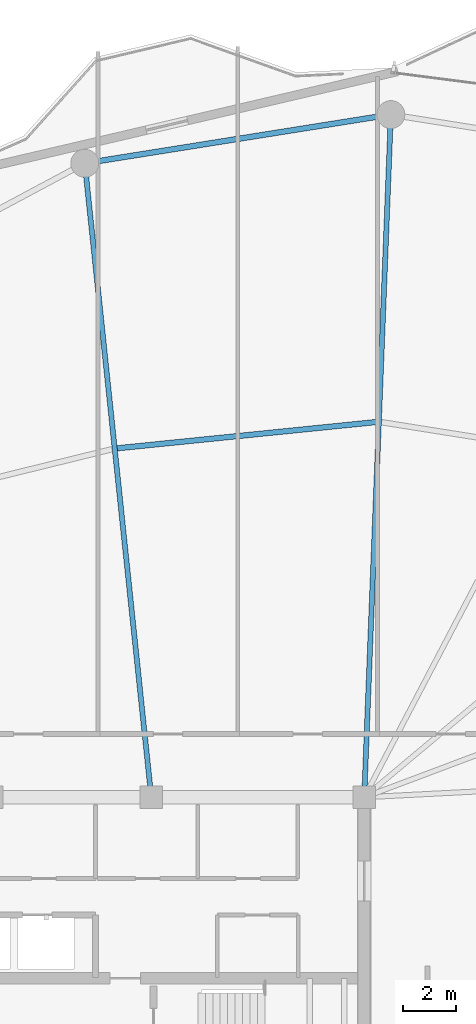
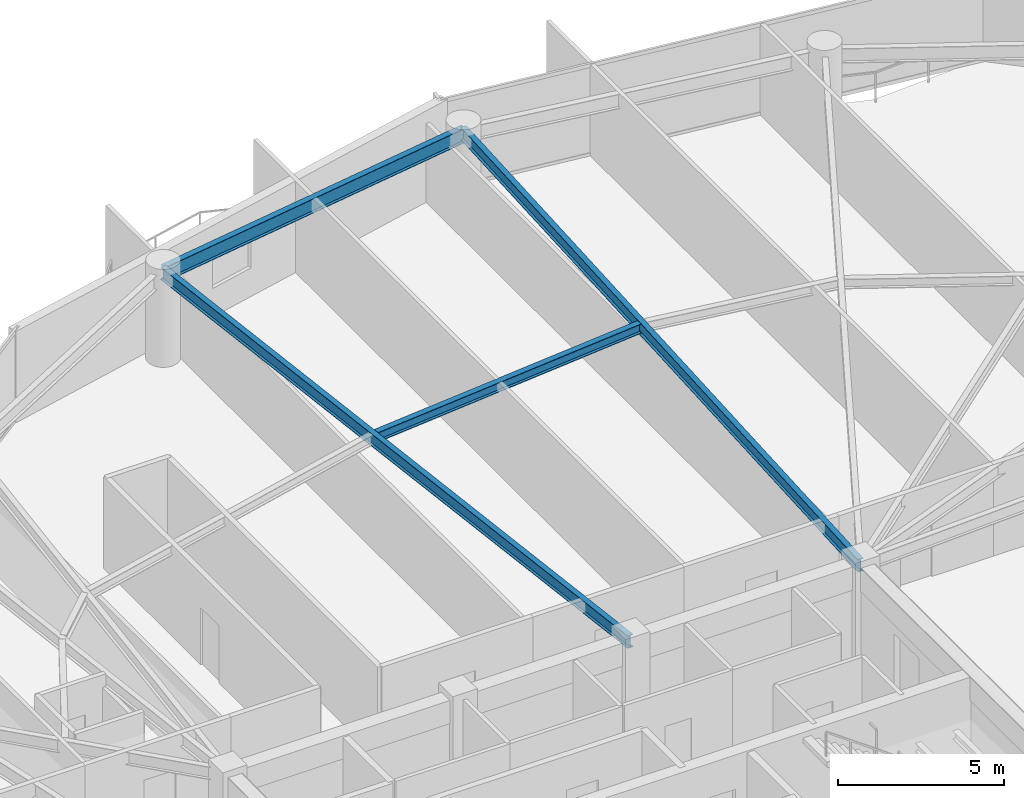
# One storey, part 19 of 31: 4 beams.
"""IFC4 building model written with IfcOpenShell, lengths in metres."""

from ifc_helpers import new_model, si_unit, direction, frame, origin, origin_2d, place, context, subcontext, project, spatial, i_section, extrude, material, material_profile, profile_set, type_object, element, save


model = new_model("IFC4")

# Units and contexts
model_context = context("Model", 3, precision=1e-05, world=origin(), true_north=direction((0.0, 1.0)))
body_context = subcontext(model_context, "Body", "Model", "MODEL_VIEW")
ifc_project = project(units=[si_unit("LENGTHUNIT", "METRE"), si_unit("AREAUNIT", "SQUARE_METRE"), si_unit("VOLUMEUNIT", "CUBIC_METRE"), si_unit("PLANEANGLEUNIT", "RADIAN"), si_unit("MASSUNIT", "GRAM", prefix="KILO")], contexts=[model_context])

# Site, building, storey
site_placement = place(None, origin())
site = spatial("IfcSite", under=ifc_project, at=site_placement, CompositionType="ELEMENT")
building_placement = place(site_placement, origin())
building = spatial("IfcBuilding", under=site, at=building_placement, Name="Kazevale Care Tower and Concert Hall", CompositionType="ELEMENT")
storey_placement = place(building_placement, frame((0.0, 0.0, 217.199951171875)))
storey = spatial("IfcBuildingStorey", under=building, at=storey_placement, Name="L57", CompositionType="ELEMENT", Elevation=217.199951171875)

# Beams
ifc_material = material(Name="Steel ASTM A572 Gr 50", Category="steel")
ifc_material_profile_1 = material_profile(ifc_material, i_section(OverallWidth=0.19091796875, OverallDepth=0.4599609375, WebThickness=0.010009765625, FlangeThickness=0.01611328125, at=origin_2d()), Name="W460x82")
ifc_profile_set_1 = profile_set([ifc_material_profile_1], Name="Steel ASTM A572 Gr 50")
beam_type_1 = type_object("IfcBeamType", Name="Radial Floor Beam W460x82", PredefinedType="BEAM", material=ifc_profile_set_1)
beam_1_placement = place(storey_placement, frame((44.0, 36.39990234375, 3.130126953125), z_axis=(0.03895653799, 0.999240905962, 0.0), x_axis=(-0.999240905962, 0.03895653799, 0.0)))
element("IfcBeam", 1, at=beam_1_placement, inside=storey, type_object=beam_type_1, Name="beam:L57:rad:05", PredefinedType="BEAM", context=body_context, shape_type="SweptSolid", body=[
    extrude(i_section(OverallWidth=0.19091796875, OverallDepth=0.4599609375, WebThickness=0.010009765625, FlangeThickness=0.01611328125, at=origin_2d()), origin(), (0.0, 0.0, 1.0), 25.669677734375),
])
beam_2_placement = place(storey_placement, frame((36.0, 36.39990234375, 3.130126953125), z_axis=(-0.104380207012, 0.994537466556, 0.0), x_axis=(-0.994537466556, -0.104380207012, 0.0)))
element("IfcBeam", 2, at=beam_2_placement, inside=storey, type_object=beam_type_1, Name="beam:L57:rad:06", PredefinedType="BEAM", context=body_context, shape_type="SweptSolid", body=[
    extrude(i_section(OverallWidth=0.19091796875, OverallDepth=0.4599609375, WebThickness=0.010009765625, FlangeThickness=0.01611328125, at=origin_2d()), origin(), (0.0, 0.0, 1.0), 23.950927734375),
])
ifc_material_profile_2 = material_profile(ifc_material, i_section(OverallWidth=0.205078125, OverallDepth=0.35400390625, WebThickness=0.009521484375, FlangeThickness=0.016845703125, at=origin_2d()), Name="W360x79")
ifc_profile_set_2 = profile_set([ifc_material_profile_2], Name="Steel ASTM A572 Gr 50")
beam_type_2 = type_object("IfcBeamType", Name="Secondary Floor Joist W360x79", PredefinedType="JOIST", material=ifc_profile_set_2)
beam_3_placement = place(storey_placement, frame((44.446044921875, 50.4970703125, 3.18310546875), z_axis=(-0.994900388447, -0.10086236696, 0.0), x_axis=(0.10086236696, -0.994900388447, 0.0)))
element("IfcBeam", 3, at=beam_3_placement, inside=storey, type_object=beam_type_2, Name="beam:L57:joist:05", PredefinedType="JOIST", context=body_context, shape_type="SweptSolid", body=[
    extrude(i_section(OverallWidth=0.205078125, OverallDepth=0.35400390625, WebThickness=0.009521484375, FlangeThickness=0.016845703125, at=origin_2d()), origin(), (0.0, 0.0, 1.0), 9.766845703125),
])
ifc_material_profile_3 = material_profile(ifc_material, i_section(OverallWidth=0.208984375, OverallDepth=0.532958984375, WebThickness=0.01025390625, FlangeThickness=0.015625, at=origin_2d()), Name="W530x92")
ifc_profile_set_3 = profile_set([ifc_material_profile_3], Name="Steel ASTM A572 Gr 50")
beam_type_3 = type_object("IfcBeamType", Name="Upper Ring Beam W530x92", PredefinedType="BEAM", material=ifc_profile_set_3)
beam_4_placement = place(storey_placement, frame((45.0, 62.050048828125, 3.093505859375), z_axis=(-0.987573207584, -0.15715966296, 0.0), x_axis=(0.15715966296, -0.987573207584, 0.0)))
element("IfcBeam", 4, at=beam_4_placement, inside=storey, type_object=beam_type_3, Name="beam:L57:ring:05", PredefinedType="BEAM", context=body_context, shape_type="SweptSolid", body=[
    extrude(i_section(OverallWidth=0.208984375, OverallDepth=0.532958984375, WebThickness=0.01025390625, FlangeThickness=0.015625, at=origin_2d()), origin(), (0.0, 0.0, 1.0), 11.644775390625),
])

save(model, "model.ifc")
